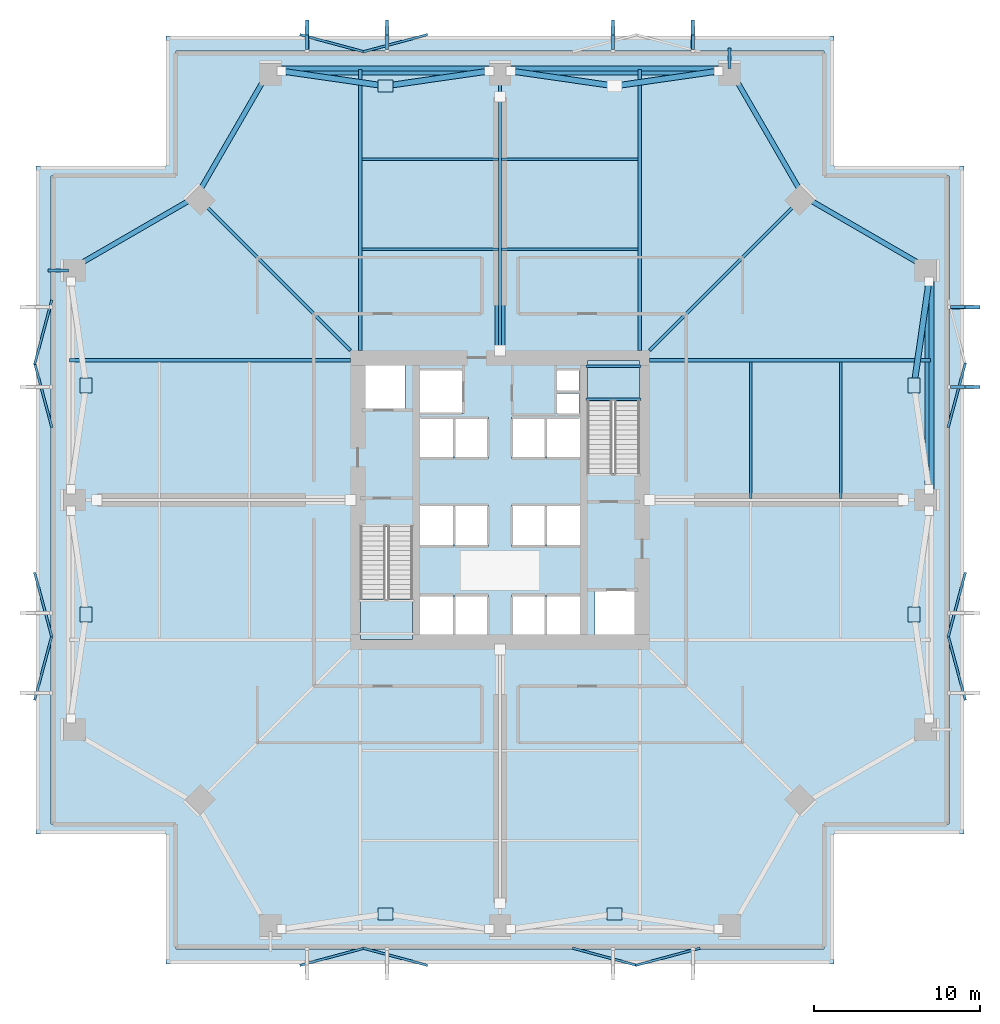
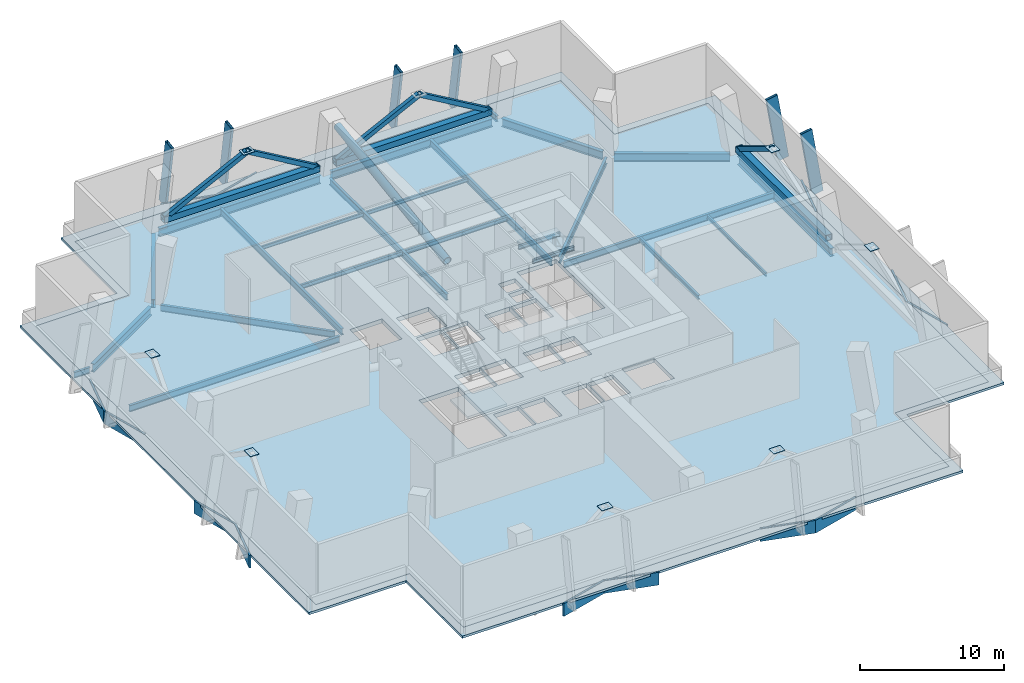
# One storey, part 2 of 6: 27 beams, 20 plates, 12 members, 4 slabs, 2 elements without a shape of their own.
"""IFC4 building model written with IfcOpenShell, lengths in metres."""

from ifc_helpers import new_model, si_unit, direction, frame, origin, origin_2d, place, context, subcontext, project, spatial, polyline, rectangle, hollow_rectangle, hollow_circle, i_section, outline, extrude, material, layer, layer_set, material_profile, profile_set, type_object, element, aggregate, save


model = new_model("IFC4")

# Units and contexts
model_context = context("Model", 3, precision=1e-05, world=origin(), true_north=direction((0.0, 1.0)))
body_context = subcontext(model_context, "Body", "Model", "MODEL_VIEW")
ifc_project = project(units=[si_unit("LENGTHUNIT", "METRE"), si_unit("AREAUNIT", "SQUARE_METRE"), si_unit("VOLUMEUNIT", "CUBIC_METRE"), si_unit("PLANEANGLEUNIT", "RADIAN"), si_unit("MASSUNIT", "GRAM", prefix="KILO")], contexts=[model_context])

# Site, building, storey
site_placement = place(None, origin())
site = spatial("IfcSite", under=ifc_project, at=site_placement, CompositionType="ELEMENT")
building_placement = place(site_placement, origin())
building = spatial("IfcBuilding", under=site, at=building_placement, Name="Belovzor Exchange Tower", CompositionType="ELEMENT")
storey_placement = place(building_placement, frame((0.0, 0.0, 108.0)))
storey = spatial("IfcBuildingStorey", under=building, at=storey_placement, Name="L26", CompositionType="ELEMENT", Elevation=108.0)

# Members
ifc_material_1 = material(Name="Steel S460", Category="steel")
ifc_material_profile_1 = material_profile(ifc_material_1, hollow_rectangle(XDim=0.35009765625, YDim=0.35009765625, WallThickness=0.01611328125, at=origin_2d()))
ifc_profile_set_1 = profile_set([ifc_material_profile_1], Name="Steel S460")
member_type_1 = type_object("IfcMemberType", Name="Belt Truss Web Diagonal SHS 350x350x16", PredefinedType="BRACE", material=ifc_profile_set_1)
for number, where, z_axis, x_axis, name in (
    (1, (53.699951171875, 35.699951171875, 4.550048828125), (0.119559644038, 0.830140191854, -0.544584936797), (-0.989787233552, 0.14255255977, 0.0), "BD-350 Belt Truss Web Diagonal SHS 350x350x16"),
    (2, (41.949951171875, 54.60009765625, 0.449951171875), (-0.830140191854, -0.119559644038, 0.544584936797), (0.14255255977, -0.989787233552, 0.0), "BD-350 Belt Truss Web Diagonal SHS 350x350x16"),
    (3, (35.699951171875, 53.699951171875, 4.550048828125), (-0.830140191854, 0.119559644038, -0.544584936797), (-0.14255255977, -0.989787233552, 0.0), "BD-350 Belt Truss Web Diagonal SHS 350x350x16"),
    (4, (28.14990234375, 54.60009765625, 0.449951171875), (-0.830140191854, -0.119559644038, 0.544584936797), (0.14255255977, -0.989787233552, 0.0), "BD-350 Belt Truss Web Diagonal SHS 350x350x16"),
    (5, (21.89990234375, 53.699951171875, 4.550048828125), (-0.830140191854, 0.119559644038, -0.544584936797), (-0.14255255977, -0.989787233552, 0.0), "BD-350 Belt Truss Web Diagonal SHS 350x350x16"),
):
    element("IfcMember", number, at=place(storey_placement, frame(where, z_axis=z_axis, x_axis=x_axis)), inside=storey, type_object=member_type_1, Name=name, PredefinedType="BRACE", context=body_context, shape_type="SweptSolid", body=[
        extrude(hollow_rectangle(XDim=0.35009765625, YDim=0.35009765625, WallThickness=0.01611328125, at=origin_2d()), origin(), (0.0, 0.0, 1.0), 7.52880859375),
    ])
ifc_material_2 = material(Name="Steel S460", Category="steel")
ifc_material_profile_2 = material_profile(ifc_material_2, hollow_circle(Radius=0.304931640625, WallThickness=0.030029296875, at=origin_2d()))
ifc_profile_set_2 = profile_set([ifc_material_profile_2], Name="Steel S460")
member_type_2 = type_object("IfcMemberType", Name="Lower Outrigger Tubular Strut CHS 610x30", PredefinedType="STRUT", material=ifc_profile_set_2)
member_placement = place(storey_placement, frame((28.800048828125, 37.800048828125, 2.449951171875), z_axis=(0.0, 0.989754297601, 0.1427810575), x_axis=(-1.0, 0.0, 0.0)))
element("IfcMember", 6, at=member_placement, inside=storey, type_object=member_type_2, Name="OS-610 Lower Outrigger Tubular Strut CHS 610x30", PredefinedType="STRUT", context=body_context, shape_type="SweptSolid", body=[
    extrude(hollow_circle(Radius=0.304931640625, WallThickness=0.030029296875, at=origin_2d()), origin(), (0.0, 0.0, 1.0), 15.407958984375),
])

# Beams
ifc_material_3 = material(Name="Steel S460", Category="steel")
ifc_material_profile_3 = material_profile(ifc_material_3, hollow_rectangle(XDim=0.5, YDim=0.5, WallThickness=0.02490234375, at=origin_2d()))
ifc_profile_set_3 = profile_set([ifc_material_profile_3], Name="Steel S460")
beam_type_1 = type_object("IfcBeamType", Name="Perimeter Belt Truss Chord SHS 500x500x25", PredefinedType="BEAM", material=ifc_profile_set_3)
for number, where, z_axis, x_axis, name in (
    (7, (54.60009765625, 29.449951171875, 0.449951171875), (0.0, 1.0, 0.0), (-1.0, 0.0, 0.0), "BT-500 Perimeter Belt Truss Chord SHS 500x500x25"),
    (8, (41.949951171875, 54.60009765625, 0.449951171875), (-1.0, 0.0, 0.0), (0.0, -1.0, 0.0), "BT-500 Perimeter Belt Truss Chord SHS 500x500x25"),
    (9, (28.14990234375, 54.60009765625, 0.449951171875), (-1.0, 0.0, 0.0), (0.0, -1.0, 0.0), "BT-500 Perimeter Belt Truss Chord SHS 500x500x25"),
):
    element("IfcBeam", number, at=place(storey_placement, frame(where, z_axis=z_axis, x_axis=x_axis)), inside=storey, type_object=beam_type_1, Name=name, PredefinedType="BEAM", context=body_context, shape_type="SweptSolid", body=[
        extrude(hollow_rectangle(XDim=0.5, YDim=0.5, WallThickness=0.02490234375, at=origin_2d()), origin(), (0.0, 0.0, 1.0), 12.5),
    ])
ifc_material_4 = material(Name="Steel S355", Category="steel")
ifc_material_profile_4 = material_profile(ifc_material_4, i_section(OverallWidth=0.199951171875, OverallDepth=0.5, WebThickness=0.01025390625, FlangeThickness=0.01611328125, at=origin_2d()))
ifc_profile_set_4 = profile_set([ifc_material_profile_4], Name="Steel S355")
beam_type_2 = type_object("IfcBeamType", Name="Planted Balcony Cantilever Beam IPE 500", PredefinedType="BEAM", material=ifc_profile_set_4)
beam_1_placement = place(storey_placement, frame((42.60009765625, 54.740966796875, -0.610107421875), z_axis=(0.0, 1.0, 0.0), x_axis=(-1.0, 0.0, 0.0)))
element("IfcBeam", 10, at=beam_1_placement, inside=storey, type_object=beam_type_2, Name="BC-500 Planted Balcony Cantilever Beam IPE 500", PredefinedType="BEAM", context=body_context, shape_type="SweptSolid", body=[
    extrude(i_section(OverallWidth=0.199951171875, OverallDepth=0.5, WebThickness=0.01025390625, FlangeThickness=0.01611328125, at=origin_2d()), origin(), (0.0, 0.0, 1.0), 1.259033203125),
])
beam_2_placement = place(storey_placement, frame((2.85888671875, 42.60009765625, -0.610107421875), z_axis=(-1.0, 0.0, 0.0), x_axis=(0.0, -1.0, 0.0)))
element("IfcBeam", 11, at=beam_2_placement, inside=storey, type_object=beam_type_2, Name="BC-500 Planted Balcony Cantilever Beam IPE 500", PredefinedType="BEAM", context=body_context, shape_type="SweptSolid", body=[
    extrude(i_section(OverallWidth=0.199951171875, OverallDepth=0.5, WebThickness=0.01025390625, FlangeThickness=0.01611328125, at=origin_2d()), origin(), (0.0, 0.0, 1.0), 1.2587890625),
])
ifc_material_5 = material(Name="Steel S355", Category="steel")
ifc_material_profile_5 = material_profile(ifc_material_5, i_section(OverallWidth=0.169921875, OverallDepth=0.360107421875, WebThickness=0.008056640625, FlangeThickness=0.0126953125, at=origin_2d()))
ifc_profile_set_5 = profile_set([ifc_material_profile_5], Name="Steel S355")
beam_type_3 = type_object("IfcBeamType", Name="Secondary Infill Floor Joist IPE 360", PredefinedType="BEAM", material=ifc_profile_set_5)
beam_3_placement = place(storey_placement, frame((20.5048828125, 43.8798828125, -0.5400390625), z_axis=(1.0, 0.0, 0.0), x_axis=(0.0, 1.0, 0.0)))
element("IfcBeam", 12, at=beam_3_placement, inside=storey, type_object=beam_type_3, Name="FJ-360 Secondary Infill Floor Joist IPE 360", PredefinedType="BEAM", context=body_context, shape_type="SweptSolid", body=[
    extrude(i_section(OverallWidth=0.169921875, OverallDepth=0.360107421875, WebThickness=0.008056640625, FlangeThickness=0.0126953125, at=origin_2d()), origin(), (0.0, 0.0, 1.0), 8.190185546875),
])
for number, where, z_axis, x_axis, name in (
    (13, (28.905029296875, 43.8798828125, -0.5400390625), (1.0, 0.0, 0.0), (0.0, 1.0, 0.0), "FJ-360 Secondary Infill Floor Joist IPE 360"),
    (14, (43.8798828125, 28.905029296875, -0.5400390625), (0.0, 1.0, 0.0), (-1.0, 0.0, 0.0), "FJ-360 Secondary Infill Floor Joist IPE 360"),
):
    element("IfcBeam", number, at=place(storey_placement, frame(where, z_axis=z_axis, x_axis=x_axis)), inside=storey, type_object=beam_type_3, Name=name, PredefinedType="BEAM", context=body_context, shape_type="SweptSolid", body=[
        extrude(i_section(OverallWidth=0.169921875, OverallDepth=0.360107421875, WebThickness=0.008056640625, FlangeThickness=0.0126953125, at=origin_2d()), origin(), (0.0, 0.0, 1.0), 8.18994140625),
    ])
ifc_material_6 = material(Name="Steel S355", Category="steel")
ifc_material_profile_6 = material_profile(ifc_material_6, i_section(OverallWidth=0.14990234375, OverallDepth=0.300048828125, WebThickness=0.007080078125, FlangeThickness=0.0107421875, at=origin_2d()))
ifc_profile_set_6 = profile_set([ifc_material_profile_6], Name="Steel S355")
beam_type_4 = type_object("IfcBeamType", Name="Secondary Trim Floor Joist IPE 300", PredefinedType="BEAM", material=ifc_profile_set_6)
for number, where, z_axis, x_axis, name in (
    (15, (37.280029296875, 34.8701171875, 2.35009765625), (-1.0, 0.0, 0.0), (0.0, -1.0, 0.0), "FJ-300 Secondary Trim Floor Joist IPE 300"),
    (16, (37.280029296875, 36.85009765625, 2.35009765625), (-1.0, 0.0, 0.0), (0.0, -1.0, 0.0), "FJ-300 Secondary Trim Floor Joist IPE 300"),
):
    element("IfcBeam", number, at=place(storey_placement, frame(where, z_axis=z_axis, x_axis=x_axis)), inside=storey, type_object=beam_type_4, Name=name, PredefinedType="BEAM", context=body_context, shape_type="SweptSolid", body=[
        extrude(i_section(OverallWidth=0.14990234375, OverallDepth=0.300048828125, WebThickness=0.007080078125, FlangeThickness=0.0107421875, at=origin_2d()), origin(), (0.0, 0.0, 1.0), 3.31005859375),
    ])
beam_4_placement = place(storey_placement, frame((20.5048828125, 49.284912109375, -0.510009765625), z_axis=(1.0, 0.0, 0.0), x_axis=(0.0, 1.0, 0.0)))
element("IfcBeam", 17, at=beam_4_placement, inside=storey, type_object=beam_type_4, Name="FJ-300 Secondary Trim Floor Joist IPE 300", PredefinedType="BEAM", context=body_context, shape_type="SweptSolid", body=[
    extrude(i_section(OverallWidth=0.14990234375, OverallDepth=0.300048828125, WebThickness=0.007080078125, FlangeThickness=0.0107421875, at=origin_2d()), origin(), (0.0, 0.0, 1.0), 8.190185546875),
])
for number, where, z_axis, x_axis, name in (
    (18, (28.905029296875, 49.284912109375, -0.510009765625), (1.0, 0.0, 0.0), (0.0, 1.0, 0.0), "FJ-300 Secondary Trim Floor Joist IPE 300"),
    (19, (49.284912109375, 28.905029296875, -0.510009765625), (0.0, 1.0, 0.0), (-1.0, 0.0, 0.0), "FJ-300 Secondary Trim Floor Joist IPE 300"),
):
    element("IfcBeam", number, at=place(storey_placement, frame(where, z_axis=z_axis, x_axis=x_axis)), inside=storey, type_object=beam_type_4, Name=name, PredefinedType="BEAM", context=body_context, shape_type="SweptSolid", body=[
        extrude(i_section(OverallWidth=0.14990234375, OverallDepth=0.300048828125, WebThickness=0.007080078125, FlangeThickness=0.0107421875, at=origin_2d()), origin(), (0.0, 0.0, 1.0), 8.18994140625),
    ])

# Members
ifc_material_7 = material(Name="Extruded Architectural Terracotta on Steel S355 Carrier", Category="masonry")
ifc_material_profile_7 = material_profile(ifc_material_7, hollow_rectangle(XDim=0.199951171875, YDim=0.89990234375, WallThickness=0.011962890625, at=origin_2d()))
ifc_profile_set_7 = profile_set([ifc_material_profile_7], Name="Extruded Architectural Terracotta on Steel S355 Carrier")
member_type_3 = type_object("IfcMemberType", Name="Sweeping Terracotta Baguette Fin Assembly 1250", PredefinedType="USERDEFINED", material=ifc_profile_set_7)
for number, where, z_axis, x_axis, name in (
    (20, (17.199951171875, 57.22509765625, -0.360107421875), (0.0, -0.16122838551, 0.986917123018), (1.0, 0.0, 0.0), "FIN-TC125 Terracotta Facade Fin L26 N1"),
    (21, (22.0, 57.22509765625, -0.360107421875), (0.0, -0.16122838551, 0.986917123018), (1.0, 0.0, 0.0), "FIN-TC125 Terracotta Facade Fin L26 N2"),
    (22, (35.60009765625, 57.22509765625, -0.360107421875), (0.0, -0.16122838551, 0.986917123018), (1.0, 0.0, 0.0), "FIN-TC125 Terracotta Facade Fin L26 N3"),
    (23, (57.22509765625, 35.60009765625, -0.360107421875), (-0.16122838551, 0.0, 0.986917123018), (0.0, -1.0, 0.0), "FIN-TC125 Terracotta Facade Fin L26 E3"),
    (24, (40.39990234375, 57.22509765625, -0.360107421875), (0.0, -0.16122838551, 0.986917123018), (1.0, 0.0, 0.0), "FIN-TC125 Terracotta Facade Fin L26 N4"),
    (25, (57.22509765625, 40.39990234375, -0.360107421875), (-0.16122838551, 0.0, 0.986917123018), (0.0, -1.0, 0.0), "FIN-TC125 Terracotta Facade Fin L26 E4"),
):
    element("IfcMember", number, at=place(storey_placement, frame(where, z_axis=z_axis, x_axis=x_axis)), inside=storey, type_object=member_type_3, Name=name, ObjectType="FIN", PredefinedType="USERDEFINED", context=body_context, shape_type="SweptSolid", body=[
        extrude(hollow_rectangle(XDim=0.199951171875, YDim=0.89990234375, WallThickness=0.011962890625, at=origin_2d()), origin(), (0.0, 0.0, 1.0), 5.5830078125),
    ])

# Beams
ifc_material_8 = material(Name="Steel S355", Category="steel")
ifc_material_profile_8 = material_profile(ifc_material_8, i_section(OverallWidth=0.300048828125, OverallDepth=0.699951171875, WebThickness=0.01708984375, FlangeThickness=0.031982421875, at=origin_2d()))
ifc_profile_set_8 = profile_set([ifc_material_profile_8], Name="Steel S355")
beam_type_5 = type_object("IfcBeamType", Name="Zone 1 Primary Perimeter Girder HEB 700", PredefinedType="BEAM", material=ifc_profile_set_8)
beam_5_placement = place(storey_placement, frame((54.763916015625, 29.212890625, -0.7099609375), z_axis=(0.0, 1.0, 0.0), x_axis=(-1.0, 0.0, 0.0)))
element("IfcBeam", 26, at=beam_5_placement, inside=storey, type_object=beam_type_5, Name="FG-Z1 Zone 1 Primary Perimeter Girder HEB 700", PredefinedType="BEAM", context=body_context, shape_type="SweptSolid", body=[
    extrude(i_section(OverallWidth=0.300048828125, OverallDepth=0.699951171875, WebThickness=0.01708984375, FlangeThickness=0.031982421875, at=origin_2d()), origin(), (0.0, 0.0, 1.0), 12.97509765625),
])
for number, where, z_axis, x_axis, name in (
    (27, (54.406982421875, 42.806884765625, -0.7099609375), (-0.86554629015, 0.500828932478, 0.0), (-0.500828932478, -0.86554629015, 0.0), "FG-Z1 Zone 1 Primary Perimeter Girder HEB 700"),
    (28, (46.85205078125, 47.416015625, -0.7099609375), (-0.500828932478, 0.86554629015, 0.0), (-0.86554629015, -0.500828932478, 0.0), "FG-Z1 Zone 1 Primary Perimeter Girder HEB 700"),
):
    element("IfcBeam", number, at=place(storey_placement, frame(where, z_axis=z_axis, x_axis=x_axis)), inside=storey, type_object=beam_type_5, Name=name, PredefinedType="BEAM", context=body_context, shape_type="SweptSolid", body=[
        extrude(i_section(OverallWidth=0.300048828125, OverallDepth=0.699951171875, WebThickness=0.01708984375, FlangeThickness=0.031982421875, at=origin_2d()), origin(), (0.0, 0.0, 1.0), 8.076904296875),
    ])
beam_6_placement = place(storey_placement, frame((42.18798828125, 54.763916015625, -0.7099609375), z_axis=(-1.0, 0.0, 0.0), x_axis=(0.0, -1.0, 0.0)))
element("IfcBeam", 29, at=beam_6_placement, inside=storey, type_object=beam_type_5, Name="FG-Z1 Zone 1 Primary Perimeter Girder HEB 700", PredefinedType="BEAM", context=body_context, shape_type="SweptSolid", body=[
    extrude(i_section(OverallWidth=0.300048828125, OverallDepth=0.699951171875, WebThickness=0.01708984375, FlangeThickness=0.031982421875, at=origin_2d()), origin(), (0.0, 0.0, 1.0), 12.97509765625),
])
beam_7_placement = place(storey_placement, frame((28.386962890625, 54.763916015625, -0.7099609375), z_axis=(-1.0, 0.0, 0.0), x_axis=(0.0, -1.0, 0.0)))
element("IfcBeam", 30, at=beam_7_placement, inside=storey, type_object=beam_type_5, Name="FG-Z1 Zone 1 Primary Perimeter Girder HEB 700", PredefinedType="BEAM", context=body_context, shape_type="SweptSolid", body=[
    extrude(i_section(OverallWidth=0.300048828125, OverallDepth=0.699951171875, WebThickness=0.01708984375, FlangeThickness=0.031982421875, at=origin_2d()), origin(), (0.0, 0.0, 1.0), 12.974853515625),
])
for number, where, z_axis, x_axis, name in (
    (31, (14.79296875, 54.406982421875, -0.7099609375), (-0.500806286891, -0.865559393115, 0.0), (0.865559393115, -0.500806286891, 0.0), "FG-Z1 Zone 1 Primary Perimeter Girder HEB 700"),
    (32, (10.18408203125, 46.85205078125, -0.7099609375), (-0.86554629015, -0.500828932478, 0.0), (0.500828932478, -0.86554629015, 0.0), "FG-Z1 Zone 1 Primary Perimeter Girder HEB 700"),
):
    element("IfcBeam", number, at=place(storey_placement, frame(where, z_axis=z_axis, x_axis=x_axis)), inside=storey, type_object=beam_type_5, Name=name, PredefinedType="BEAM", context=body_context, shape_type="SweptSolid", body=[
        extrude(i_section(OverallWidth=0.300048828125, OverallDepth=0.699951171875, WebThickness=0.01708984375, FlangeThickness=0.031982421875, at=origin_2d()), origin(), (0.0, 0.0, 1.0), 8.076904296875),
    ])
ifc_material_9 = material(Name="Steel S355", Category="steel")
ifc_material_profile_9 = material_profile(ifc_material_9, i_section(OverallWidth=0.2099609375, OverallDepth=0.550048828125, WebThickness=0.010986328125, FlangeThickness=0.01708984375, at=origin_2d()))
ifc_profile_set_9 = profile_set([ifc_material_profile_9], Name="Steel S355")
beam_type_6 = type_object("IfcBeamType", Name="Zone 1 Radial Composite Floor Beam IPE 550", PredefinedType="BEAM", material=ifc_profile_set_9)
beam_8_placement = place(storey_placement, frame((20.39990234375, 37.800048828125, -0.635009765625), z_axis=(0.0, 1.0, 0.0), x_axis=(-1.0, 0.0, 0.0)))
element("IfcBeam", 33, at=beam_8_placement, inside=storey, type_object=beam_type_6, Name="FB-550 Zone 1 Radial Composite Floor Beam IPE 550", PredefinedType="BEAM", context=body_context, shape_type="SweptSolid", body=[
    extrude(i_section(OverallWidth=0.2099609375, OverallDepth=0.550048828125, WebThickness=0.010986328125, FlangeThickness=0.01708984375, at=origin_2d()), origin(), (0.0, 0.0, 1.0), 16.888916015625),
])
beam_9_placement = place(storey_placement, frame((28.800048828125, 37.800048828125, -0.635009765625), z_axis=(0.0, 1.0, 0.0), x_axis=(-1.0, 0.0, 0.0)))
element("IfcBeam", 34, at=beam_9_placement, inside=storey, type_object=beam_type_6, Name="FB-550 Zone 1 Radial Composite Floor Beam IPE 550", PredefinedType="BEAM", context=body_context, shape_type="SweptSolid", body=[
    extrude(i_section(OverallWidth=0.2099609375, OverallDepth=0.550048828125, WebThickness=0.010986328125, FlangeThickness=0.01708984375, at=origin_2d()), origin(), (0.0, 0.0, 1.0), 16.286865234375),
])
beam_10_placement = place(storey_placement, frame((37.199951171875, 37.800048828125, -0.635009765625), z_axis=(0.0, 1.0, 0.0), x_axis=(-1.0, 0.0, 0.0)))
element("IfcBeam", 35, at=beam_10_placement, inside=storey, type_object=beam_type_6, Name="FB-550 Zone 1 Radial Composite Floor Beam IPE 550", PredefinedType="BEAM", context=body_context, shape_type="SweptSolid", body=[
    extrude(i_section(OverallWidth=0.2099609375, OverallDepth=0.550048828125, WebThickness=0.010986328125, FlangeThickness=0.01708984375, at=origin_2d()), origin(), (0.0, 0.0, 1.0), 16.888916015625),
])
beam_11_placement = place(storey_placement, frame((19.800048828125, 37.199951171875, -0.635009765625), z_axis=(-1.0, 0.0, 0.0), x_axis=(0.0, -1.0, 0.0)))
element("IfcBeam", 36, at=beam_11_placement, inside=storey, type_object=beam_type_6, Name="FB-550 Zone 1 Radial Composite Floor Beam IPE 550", PredefinedType="BEAM", context=body_context, shape_type="SweptSolid", body=[
    extrude(i_section(OverallWidth=0.2099609375, OverallDepth=0.550048828125, WebThickness=0.010986328125, FlangeThickness=0.01708984375, at=origin_2d()), origin(), (0.0, 0.0, 1.0), 16.88916015625),
])
beam_12_placement = place(storey_placement, frame((37.800048828125, 37.199951171875, -0.635009765625), z_axis=(1.0, 0.0, 0.0), x_axis=(0.0, 1.0, 0.0)))
element("IfcBeam", 37, at=beam_12_placement, inside=storey, type_object=beam_type_6, Name="FB-550 Zone 1 Radial Composite Floor Beam IPE 550", PredefinedType="BEAM", context=body_context, shape_type="SweptSolid", body=[
    extrude(i_section(OverallWidth=0.2099609375, OverallDepth=0.550048828125, WebThickness=0.010986328125, FlangeThickness=0.01708984375, at=origin_2d()), origin(), (0.0, 0.0, 1.0), 16.888916015625),
])
for number, where, z_axis, x_axis, name in (
    (38, (37.800048828125, 37.800048828125, -0.635009765625), (0.707106781187, 0.707106781187, 0.0), (-0.707106781187, 0.707106781187, 0.0), "FB-550 Zone 1 Radial Composite Floor Beam IPE 550"),
    (39, (19.800048828125, 37.800048828125, -0.635009765625), (-0.707106781187, 0.707106781187, 0.0), (-0.707106781187, -0.707106781187, 0.0), "FB-550 Zone 1 Radial Composite Floor Beam IPE 550"),
):
    element("IfcBeam", number, at=place(storey_placement, frame(where, z_axis=z_axis, x_axis=x_axis)), inside=storey, type_object=beam_type_6, Name=name, PredefinedType="BEAM", context=body_context, shape_type="SweptSolid", body=[
        extrude(i_section(OverallWidth=0.2099609375, OverallDepth=0.550048828125, WebThickness=0.010986328125, FlangeThickness=0.01708984375, at=origin_2d()), origin(), (0.0, 0.0, 1.0), 12.56396484375),
    ])

# Plates
ifc_material_10 = material(Name="Steel S460", Category="steel")
ifc_layer_1 = layer(ifc_material_10, 0.031982421875)
ifc_layer_set_1 = layer_set([ifc_layer_1], Name="Steel S460")
plate_type_1 = type_object("IfcPlateType", Name="Belt Truss Chord Node Gusset Plate 900x700x32", PredefinedType="SHEET", material=ifc_layer_set_1)
for number, where, z_axis, x_axis, name in (
    (40, (21.89990234375, 3.89990234375, 4.5341796875), (0.0, 0.0, 1.0), (1.0, 0.0, 0.0), "KN-3 Belt Truss Chord Node Gusset Plate 900x700x32"),
    (41, (35.699951171875, 3.89990234375, 4.5341796875), (0.0, 0.0, 1.0), (1.0, 0.0, 0.0), "KN-3 Belt Truss Chord Node Gusset Plate 900x700x32"),
    (42, (53.699951171875, 21.89990234375, 4.5341796875), (0.0, 0.0, 1.0), (0.0, 1.0, 0.0), "KN-3 Belt Truss Chord Node Gusset Plate 900x700x32"),
    (43, (53.699951171875, 35.699951171875, 4.5341796875), (0.0, 0.0, 1.0), (0.0, 1.0, 0.0), "KN-3 Belt Truss Chord Node Gusset Plate 900x700x32"),
    (44, (21.89990234375, 53.699951171875, 4.5341796875), (0.0, 0.0, 1.0), (1.0, 0.0, 0.0), "KN-3 Belt Truss Chord Node Gusset Plate 900x700x32"),
    (45, (3.89990234375, 35.699951171875, 4.5341796875), (0.0, 0.0, 1.0), (0.0, 1.0, 0.0), "KN-3 Belt Truss Chord Node Gusset Plate 900x700x32"),
    (46, (3.89990234375, 21.89990234375, 4.5341796875), (0.0, 0.0, 1.0), (0.0, 1.0, 0.0), "KN-3 Belt Truss Chord Node Gusset Plate 900x700x32"),
):
    element("IfcPlate", number, at=place(storey_placement, frame(where, z_axis=z_axis, x_axis=x_axis)), inside=storey, type_object=plate_type_1, Name=name, PredefinedType="SHEET", context=body_context, shape_type="SweptSolid", body=[
        extrude(rectangle(XDim=0.89990234375, YDim=0.699951171875, at=origin_2d()), origin(), (0.0, 0.0, 1.0), 0.031982421875),
    ])
ifc_material_11 = material(Name="Extruded Architectural Terracotta", Category="masonry")
ifc_layer_2 = layer(ifc_material_11, 0.139892578125)
ifc_layer_set_2 = layer_set([ifc_layer_2], Name="Extruded Architectural Terracotta")
plate_type_2 = type_object("IfcPlateType", Name="Mid-Tower Folded Zigzag Terracotta Spandrel Louvre 120", PredefinedType="USERDEFINED", material=ifc_layer_set_2)
for number, where, z_axis, x_axis, name in (
    (47, (18.699951171875, 1.330078125, -1.06494140625), (0.0, 0.0, 1.0), (0.965812803231, 0.259240485101, 0.0), "LVR-ZZ2 Zigzag Terracotta Spandrel Louvre L26 S1A"),
    (48, (22.5, 1.330078125, -1.06494140625), (0.0, 0.0, 1.0), (0.965812803231, -0.259240485101, 0.0), "LVR-ZZ2 Zigzag Terracotta Spandrel Louvre L26 S1B"),
    (49, (18.699951171875, 56.27001953125, -1.06494140625), (0.0, 0.0, 1.0), (0.965812803231, -0.259240485101, 0.0), "LVR-ZZ2 Zigzag Terracotta Spandrel Louvre L26 N1A"),
    (50, (22.5, 56.27001953125, -1.06494140625), (0.0, 0.0, 1.0), (0.965812803231, 0.259240485101, 0.0), "LVR-ZZ2 Zigzag Terracotta Spandrel Louvre L26 N1B"),
    (51, (1.330078125, 18.699951171875, -1.06494140625), (0.0, 0.0, 1.0), (0.259240485101, 0.965812803231, 0.0), "LVR-ZZ2 Zigzag Terracotta Spandrel Louvre L26 W1A"),
    (52, (1.330078125, 22.5, -1.06494140625), (0.0, 0.0, 1.0), (-0.259240485101, 0.965812803231, 0.0), "LVR-ZZ2 Zigzag Terracotta Spandrel Louvre L26 W1B"),
    (53, (56.27001953125, 18.699951171875, -1.06494140625), (0.0, 0.0, 1.0), (-0.259240485101, 0.965812803231, 0.0), "LVR-ZZ2 Zigzag Terracotta Spandrel Louvre L26 E1A"),
    (54, (56.27001953125, 22.5, -1.06494140625), (0.0, 0.0, 1.0), (0.259240485101, 0.965812803231, 0.0), "LVR-ZZ2 Zigzag Terracotta Spandrel Louvre L26 E1B"),
    (55, (35.10009765625, 1.330078125, -1.06494140625), (0.0, 0.0, 1.0), (0.965812803231, -0.259240485101, 0.0), "LVR-ZZ2 Zigzag Terracotta Spandrel Louvre L26 S2A"),
    (56, (38.89990234375, 1.330078125, -1.06494140625), (0.0, 0.0, 1.0), (0.965812803231, 0.259240485101, 0.0), "LVR-ZZ2 Zigzag Terracotta Spandrel Louvre L26 S2B"),
    (57, (1.330078125, 35.10009765625, -1.06494140625), (0.0, 0.0, 1.0), (-0.259240485101, 0.965812803231, 0.0), "LVR-ZZ2 Zigzag Terracotta Spandrel Louvre L26 W2A"),
    (58, (1.330078125, 38.89990234375, -1.06494140625), (0.0, 0.0, 1.0), (0.259240485101, 0.965812803231, 0.0), "LVR-ZZ2 Zigzag Terracotta Spandrel Louvre L26 W2B"),
    (59, (56.27001953125, 35.10009765625, -1.06494140625), (0.0, 0.0, 1.0), (0.259240485101, 0.965812803231, 0.0), "LVR-ZZ2 Zigzag Terracotta Spandrel Louvre L26 E2A"),
):
    element("IfcPlate", number, at=place(storey_placement, frame(where, z_axis=z_axis, x_axis=x_axis)), inside=storey, type_object=plate_type_2, Name=name, ObjectType="SPANDREL_LOUVRE", PredefinedType="USERDEFINED", context=body_context, shape_type="SweptSolid", body=[
        extrude(rectangle(XDim=4.014892578125, YDim=0.139892578125, at=origin_2d()), origin(), (0.0, 0.0, 1.0), 1.080078125),
    ])

# Slab
ifc_material_12 = material(Name="Concrete C50/60", Category="concrete")
ifc_layer_3 = layer(ifc_material_12, 0.360107421875)
ifc_layer_set_3 = layer_set([ifc_layer_3], Name="Concrete C50/60")
slab_type_1 = type_object("IfcSlabType", Name="Reinforced Concrete Refuge Deck Floor Slab 360", PredefinedType="FLOOR", material=ifc_layer_set_3)
slab_1_placement = place(storey_placement, frame((0.0, 0.0, -0.360107421875)))
element("IfcSlab", 60, at=slab_1_placement, inside=storey, type_object=slab_type_1, Name="SL-F360 Structural Slab L26", PredefinedType="FLOOR", context=body_context, shape_type="SweptSolid", body=[
    extrude(outline(polyline([(9.300048828125, 1.800048828125), (48.300048828125, 1.800048828125), (48.300048828125, 9.300048828125), (55.800048828125, 9.300048828125), (55.800048828125, 48.300048828125), (48.300048828125, 48.300048828125), (48.300048828125, 55.800048828125), (9.300048828125, 55.800048828125), (9.300048828125, 48.300048828125), (1.800048828125, 48.300048828125), (1.800048828125, 9.300048828125), (9.300048828125, 9.300048828125), (9.300048828125, 1.800048828125)]), holes=[polyline([(20.39990234375, 27.175048828125), (20.39990234375, 20.39990234375), (23.550048828125, 20.39990234375), (23.550048828125, 27.175048828125), (20.39990234375, 27.175048828125)]), polyline([(37.199951171875, 30.425048828125), (37.199951171875, 37.199951171875), (34.050048828125, 37.199951171875), (34.050048828125, 30.425048828125), (37.199951171875, 30.425048828125)]), polyline([(20.5, 34.199951171875), (23.10009765625, 34.199951171875), (23.10009765625, 37.0), (20.5, 37.0), (20.5, 34.199951171875)]), polyline([(34.5, 20.60009765625), (37.10009765625, 20.60009765625), (37.10009765625, 23.39990234375), (34.5, 23.39990234375), (34.5, 20.60009765625)]), polyline([(24.0, 34.0), (26.60009765625, 34.0), (26.60009765625, 36.60009765625), (24.0, 36.60009765625), (24.0, 34.0)]), polyline([(24.0, 20.60009765625), (26.0, 20.60009765625), (26.0, 23.10009765625), (24.0, 23.10009765625), (24.0, 20.60009765625)]), polyline([(26.10009765625, 20.60009765625), (28.10009765625, 20.60009765625), (28.10009765625, 23.10009765625), (26.10009765625, 23.10009765625), (26.10009765625, 20.60009765625)]), polyline([(29.5, 20.60009765625), (31.5, 20.60009765625), (31.5, 23.10009765625), (29.5, 23.10009765625), (29.5, 20.60009765625)]), polyline([(31.60009765625, 20.60009765625), (33.60009765625, 20.60009765625), (33.60009765625, 23.10009765625), (31.60009765625, 23.10009765625), (31.60009765625, 20.60009765625)]), polyline([(24.0, 26.0), (26.0, 26.0), (26.0, 28.5), (24.0, 28.5), (24.0, 26.0)]), polyline([(26.10009765625, 26.0), (28.10009765625, 26.0), (28.10009765625, 28.5), (26.10009765625, 28.5), (26.10009765625, 26.0)]), polyline([(29.5, 26.0), (31.5, 26.0), (31.5, 28.5), (29.5, 28.5), (29.5, 26.0)]), polyline([(31.60009765625, 26.0), (33.60009765625, 26.0), (33.60009765625, 28.5), (31.60009765625, 28.5), (31.60009765625, 26.0)]), polyline([(24.0, 31.300048828125), (26.0, 31.300048828125), (26.0, 33.800048828125), (24.0, 33.800048828125), (24.0, 31.300048828125)]), polyline([(26.10009765625, 31.300048828125), (28.10009765625, 31.300048828125), (28.10009765625, 33.800048828125), (26.10009765625, 33.800048828125), (26.10009765625, 31.300048828125)]), polyline([(29.5, 31.300048828125), (31.5, 31.300048828125), (31.5, 33.800048828125), (29.5, 33.800048828125), (29.5, 31.300048828125)]), polyline([(31.60009765625, 31.300048828125), (33.60009765625, 31.300048828125), (33.60009765625, 33.800048828125), (31.60009765625, 33.800048828125), (31.60009765625, 31.300048828125)]), polyline([(32.199951171875, 34.0), (33.550048828125, 34.0), (33.550048828125, 35.199951171875), (32.199951171875, 35.199951171875), (32.199951171875, 34.0)]), polyline([(32.199951171875, 35.39990234375), (33.550048828125, 35.39990234375), (33.550048828125, 36.60009765625), (32.199951171875, 36.60009765625), (32.199951171875, 35.39990234375)])]), origin(), (0.0, 0.0, 1.0), 0.360107421875),
])

# Stair, slab
ifc_material_13 = material(Name="Concrete C40/50", Category="concrete")
stair_type = type_object("IfcStairType", Name="Reinforced Concrete Dogleg Escape Stair 1350", PredefinedType="HALF_TURN_STAIR", material=ifc_material_13)
stair_1_placement = place(storey_placement, origin())
stair_1 = element("IfcStair", 61, at=stair_1_placement, inside=storey, type_object=stair_type, Name="L26 ST-1", PredefinedType="HALF_TURN_STAIR")
ifc_material_14 = material(Name="Concrete C40/50", Category="concrete")
ifc_layer_4 = layer(ifc_material_14, 0.199951171875)
ifc_layer_set_4 = layer_set([ifc_layer_4], Name="Concrete C40/50")
slab_type_2 = type_object("IfcSlabType", Name="Reinforced Concrete Stair Half-Landing Slab 200", PredefinedType="LANDING", material=ifc_layer_set_4)
slab_2_placement = place(storey_placement, frame((0.0, 0.0, 2.5)))
slab_2 = element("IfcSlab", 62, at=slab_2_placement, type_object=slab_type_2, Name="ST-1 landing 1", PredefinedType="LANDING", context=body_context, shape_type="SweptSolid", body=[
    extrude(outline(polyline([(20.39990234375, 22.85009765625), (20.39990234375, 20.39990234375), (23.550048828125, 20.39990234375), (23.550048828125, 22.85009765625), (20.39990234375, 22.85009765625)])), origin(), (0.0, 0.0, 1.0), 0.199951171875),
])
aggregate(stair_1, [slab_2])

stair_2_placement = place(storey_placement, origin())
stair_2 = element("IfcStair", 63, at=stair_2_placement, inside=storey, type_object=stair_type, Name="L26 ST-2", PredefinedType="HALF_TURN_STAIR")
slab_3_placement = place(storey_placement, frame((0.0, 0.0, 2.5)))
slab_3 = element("IfcSlab", 64, at=slab_3_placement, type_object=slab_type_2, Name="ST-2 landing 1", PredefinedType="LANDING", context=body_context, shape_type="SweptSolid", body=[
    extrude(outline(polyline([(37.199951171875, 34.75), (37.199951171875, 37.199951171875), (34.050048828125, 37.199951171875), (34.050048828125, 34.75), (37.199951171875, 34.75)])), origin(), (0.0, 0.0, 1.0), 0.199951171875),
])
aggregate(stair_2, [slab_3])

# Slab
ifc_material_15 = material(Name="Concrete C40/50", Category="concrete")
ifc_layer_5 = layer(ifc_material_15, 0.199951171875)
ifc_layer_set_5 = layer_set([ifc_layer_5], Name="Concrete C40/50")
slab_type_3 = type_object("IfcSlabType", Name="Setback Weathering Roof Ring Slab 200", PredefinedType="ROOF", material=ifc_layer_set_5)
slab_4_placement = place(storey_placement, frame((0.0, 0.0, -0.199951171875)))
element("IfcSlab", 65, at=slab_4_placement, inside=storey, type_object=slab_type_3, Name="SL-RF200A Setback Weathering Roof Ring L25", PredefinedType="ROOF", context=body_context, shape_type="SweptSolid", body=[
    extrude(outline(polyline([(8.699951171875, 0.89990234375), (48.89990234375, 0.89990234375), (48.89990234375, 8.699951171875), (56.699951171875, 8.699951171875), (56.699951171875, 48.89990234375), (48.89990234375, 48.89990234375), (48.89990234375, 56.699951171875), (8.699951171875, 56.699951171875), (8.699951171875, 48.89990234375), (0.89990234375, 48.89990234375), (0.89990234375, 8.699951171875), (8.699951171875, 8.699951171875), (8.699951171875, 0.89990234375)]), holes=[polyline([(9.300048828125, 1.800048828125), (48.300048828125, 1.800048828125), (48.300048828125, 9.300048828125), (55.800048828125, 9.300048828125), (55.800048828125, 48.300048828125), (48.300048828125, 48.300048828125), (48.300048828125, 55.800048828125), (9.300048828125, 55.800048828125), (9.300048828125, 48.300048828125), (1.800048828125, 48.300048828125), (1.800048828125, 9.300048828125), (9.300048828125, 9.300048828125), (9.300048828125, 1.800048828125)])]), origin(), (0.0, 0.0, 1.0), 0.199951171875),
])

save(model, "model.ifc")
